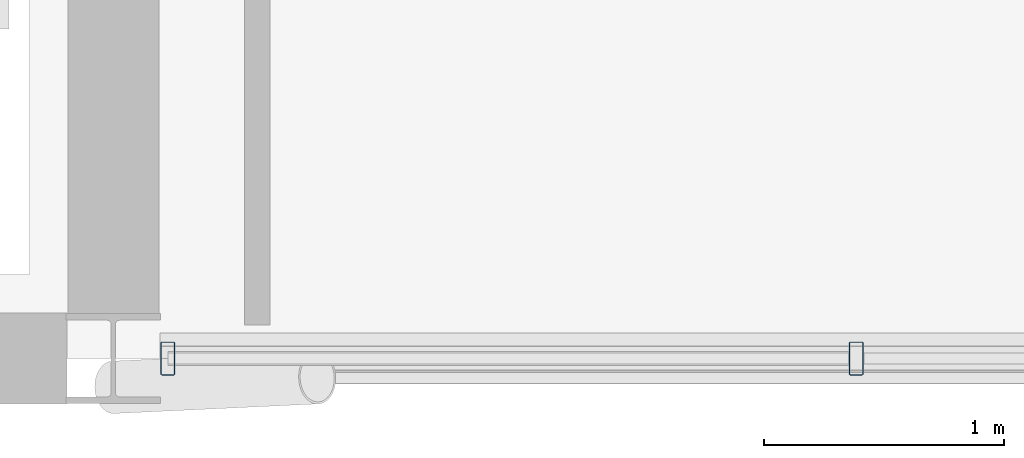
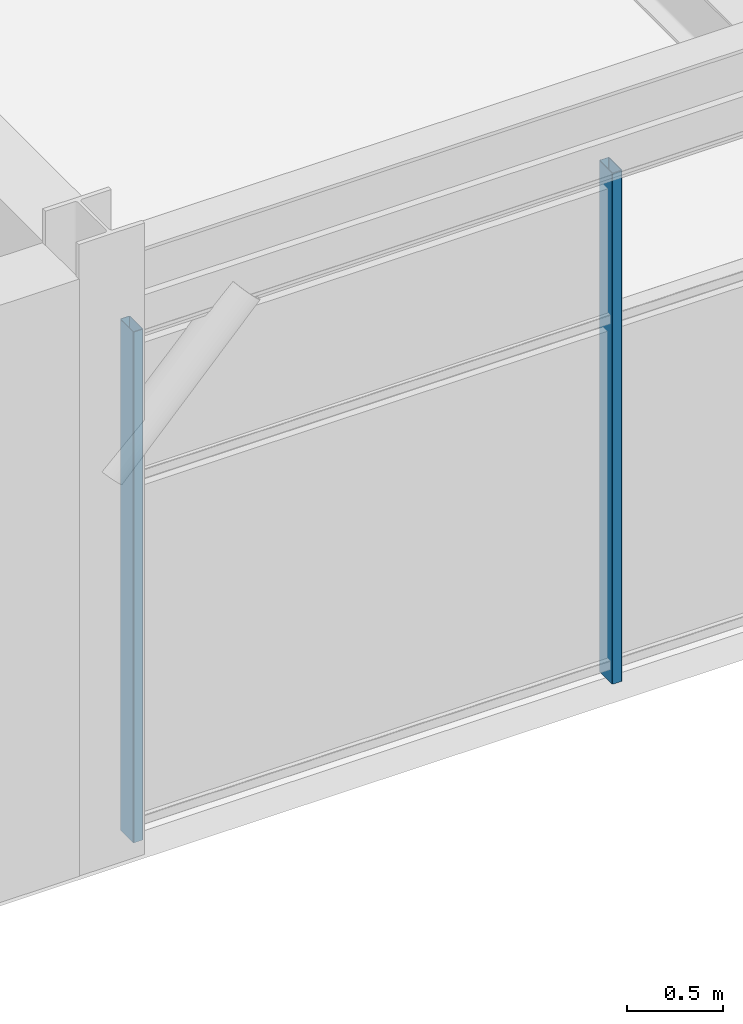
# One storey, part 16 of 52: 2 members, 1 element without a shape of its own.
"""IFC4 building model written with IfcOpenShell, lengths in metres."""

from ifc_helpers import new_model, si_unit, direction, frame, origin, origin_2d, place, context, subcontext, project, spatial, hollow_rectangle, extrude, material, material_profile, profile_set, type_object, element, aggregate, save


model = new_model("IFC4")

# Units and contexts
model_context = context("Model", 3, precision=1e-05, world=origin(), true_north=direction((0.0, 1.0)))
body_context = subcontext(model_context, "Body", "Model", "MODEL_VIEW")
ifc_project = project(units=[si_unit("LENGTHUNIT", "METRE"), si_unit("AREAUNIT", "SQUARE_METRE"), si_unit("VOLUMEUNIT", "CUBIC_METRE"), si_unit("PLANEANGLEUNIT", "RADIAN"), si_unit("MASSUNIT", "GRAM", prefix="KILO")], contexts=[model_context])

# Site, building, storey
site_placement = place(None, origin())
site = spatial("IfcSite", under=ifc_project, at=site_placement, CompositionType="ELEMENT")
building_placement = place(site_placement, origin())
building = spatial("IfcBuilding", under=site, at=building_placement, Name="Girod Span Mobility Hub", CompositionType="ELEMENT")
storey_placement = place(building_placement, frame((0.0, 0.0, 45.60009765625)))
storey = spatial("IfcBuildingStorey", under=building, at=storey_placement, Name="L11", CompositionType="ELEMENT", Elevation=45.60009765625)

# Curtain wall, members
ifc_material_1 = material(Name="Thermally Broken Anodised Aluminium", Category="aluminium")
curtain_wall_type = type_object("IfcCurtainWallType", Name="CW-1161X324", PredefinedType="USERDEFINED", material=ifc_material_1)
curtain_wall_placement = place(storey_placement, origin())
curtain_wall = element("IfcCurtainWall", 1, at=curtain_wall_placement, inside=storey, type_object=curtain_wall_type, Name="Unitised Curtain Wall CW-L11-S08 L11", ObjectType="UNITISED CURTAIN WALL", PredefinedType="USERDEFINED")
ifc_material_2 = material(Name="Thermally Broken Anodised Aluminium", Category="aluminium")
ifc_material_profile = material_profile(ifc_material_2, hollow_rectangle(XDim=0.139892578125, YDim=0.06005859375, WallThickness=0.00341796875, InnerFilletRadius=0.00341796875, OuterFilletRadius=0.007080078125, at=origin_2d()), Name="CW-ML-60X140")
ifc_profile_set = profile_set([ifc_material_profile], Name="Thermally Broken Anodised Aluminium")
member_type = type_object("IfcMemberType", Name="CWM-ML-4", PredefinedType="MULLION", material=ifc_profile_set)
member_1_placement = place(storey_placement, frame((84.22705078125, 27.0, 0.0), z_axis=(0.0, 0.0, 1.0), x_axis=(0.0, 1.0, 0.0)))
member_1 = element("IfcMember", 2, at=member_1_placement, type_object=member_type, Name="Curtain Wall Mullion CW-L11-S08-M0", PredefinedType="MULLION", context=body_context, shape_type="SweptSolid", body=[
    extrude(hollow_rectangle(XDim=0.139892578125, YDim=0.06005859375, WallThickness=0.00341796875, InnerFilletRadius=0.00341796875, OuterFilletRadius=0.007080078125, at=origin_2d()), origin(), (0.0, 0.0, 1.0), 3.23583984375),
])
member_2_placement = place(storey_placement, frame((87.097412109375, 27.0, 0.0), z_axis=(0.0, 0.0, 1.0), x_axis=(0.0, 1.0, 0.0)))
member_2 = element("IfcMember", 3, at=member_2_placement, type_object=member_type, Name="Curtain Wall Mullion CW-L11-S08-M1", PredefinedType="MULLION", context=body_context, shape_type="SweptSolid", body=[
    extrude(hollow_rectangle(XDim=0.139892578125, YDim=0.06005859375, WallThickness=0.00341796875, InnerFilletRadius=0.00341796875, OuterFilletRadius=0.007080078125, at=origin_2d()), origin(), (0.0, 0.0, 1.0), 3.23583984375),
])
aggregate(curtain_wall, [member_1, member_2])

save(model, "model.ifc")
